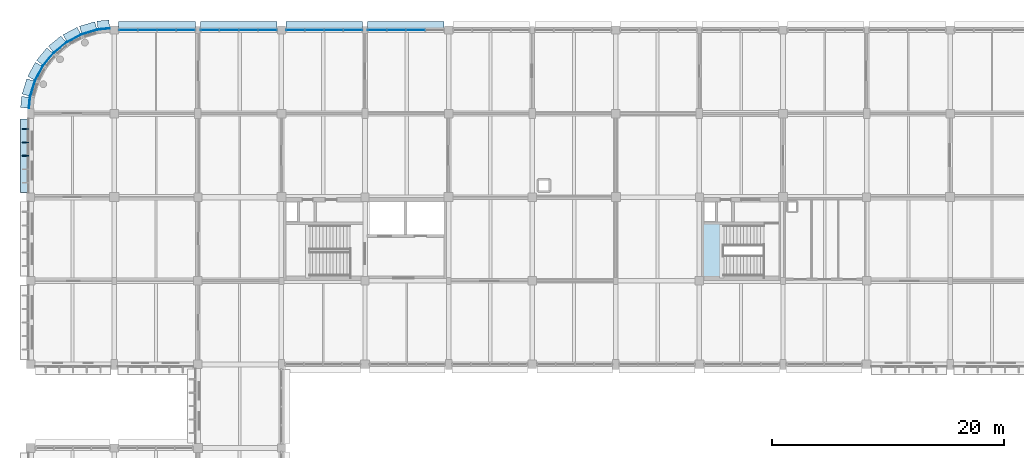
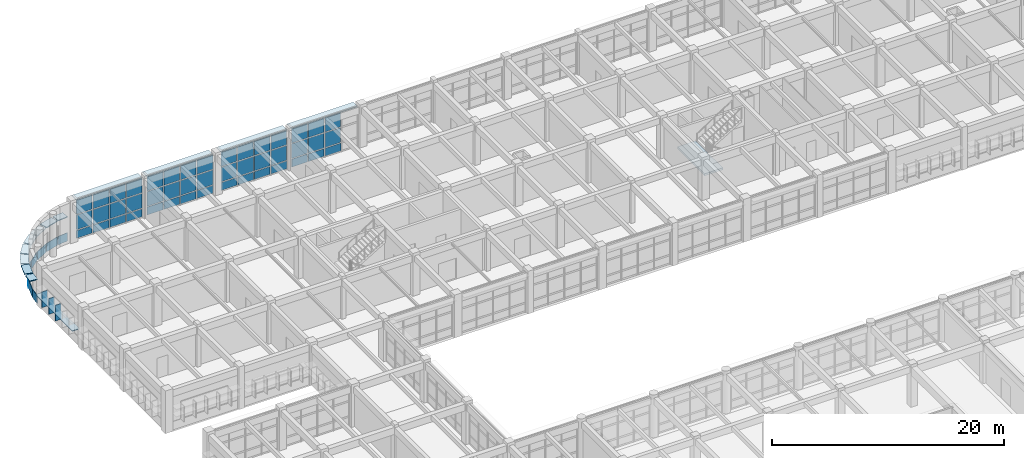
# One storey, part 134 of 171: 69 plates, 1 slab, 5 elements without a shape of their own.
"""IFC4 building model written with IfcOpenShell, lengths in metres."""

from ifc_helpers import new_model, si_unit, direction, frame, origin, origin_2d, place, context, subcontext, project, spatial, polyline, rectangle, outline, extrude, material, layer, layer_set, type_object, element, aggregate, save


model = new_model("IFC4")

# Units and contexts
model_context = context("Model", 3, precision=1e-05, world=origin(), true_north=direction((0.0, 1.0)))
body_context = subcontext(model_context, "Body", "Model", "MODEL_VIEW")
ifc_project = project(units=[si_unit("LENGTHUNIT", "METRE"), si_unit("AREAUNIT", "SQUARE_METRE"), si_unit("VOLUMEUNIT", "CUBIC_METRE"), si_unit("PLANEANGLEUNIT", "RADIAN"), si_unit("MASSUNIT", "GRAM", prefix="KILO")], contexts=[model_context])

# Site, building, storey
site_placement = place(None, origin())
site = spatial("IfcSite", under=ifc_project, at=site_placement, CompositionType="ELEMENT")
building_placement = place(site_placement, origin())
building = spatial("IfcBuilding", under=site, at=building_placement, Name="Thalmaran Polytechnic", CompositionType="ELEMENT")
storey_placement = place(building_placement, frame((0.0, 0.0, 5.39990234375)))
storey = spatial("IfcBuildingStorey", under=building, at=storey_placement, Name="L01", CompositionType="ELEMENT", Elevation=5.39990234375)

# Plates
ifc_material_1 = material(Name="Anodised aluminium spandrel band", Category="aluminium")
ifc_layer_1 = layer(ifc_material_1, 0.054931640625, Name="Anodised aluminium spandrel band")
ifc_layer_set_1 = layer_set([ifc_layer_1], Name="Anodised aluminium spandrel band")
plate_type_1 = type_object("IfcPlateType", Name="PT-BD01", PredefinedType="SHEET", material=ifc_layer_set_1)
plate_1_placement = place(storey_placement, frame((-0.10400390625, 116.1328125, 0.020263671875), z_axis=(0.0, 0.0, 1.0), x_axis=(0.09801714033, 0.995184726672, 0.0)))
element("IfcPlate", 1, at=plate_1_placement, inside=storey, type_object=plate_type_1, Name="Streamline Horizontal Spandrel Band L01-021", PredefinedType="SHEET", context=body_context, shape_type="SweptSolid", body=[
    extrude(rectangle(XDim=0.9462890625, YDim=0.054931640625, at=origin_2d()), origin(), (0.0, 0.0, 1.0), 0.8798828125),
])
for number, where, z_axis, x_axis, name in (
    (2, (0.156494140625, 117.336669921875, 0.020263671875), (0.0, 0.0, 1.0), (0.290284677254, 0.956940335732, 0.0), "Streamline Horizontal Spandrel Band L01-022"),
    (3, (0.708740234375, 118.669677734375, 0.020263671875), (0.0, 0.0, 1.0), (0.471396736826, 0.881921264348, 0.0), "Streamline Horizontal Spandrel Band L01-023"),
    (4, (1.510498046875, 119.869384765625, 0.020263671875), (0.0, 0.0, 1.0), (0.634393284164, 0.773010453363, 0.0), "Streamline Horizontal Spandrel Band L01-024"),
    (5, (2.53076171875, 120.8896484375, 0.020263671875), (0.0, 0.0, 1.0), (0.773010453363, 0.634393284164, 0.0), "Streamline Horizontal Spandrel Band L01-025"),
    (6, (3.737548828125, 121.677978515625, 0.020263671875), (0.0, 0.0, 1.0), (0.881921264348, 0.471396736826, 0.0), "Streamline Horizontal Spandrel Band L01-026"),
    (7, (5.06787109375, 122.22900390625, 0.020263671875), (0.0, 0.0, 1.0), (0.956940335732, 0.290284677254, 0.0), "Streamline Horizontal Spandrel Band L01-027"),
):
    element("IfcPlate", number, at=place(storey_placement, frame(where, z_axis=z_axis, x_axis=x_axis)), inside=storey, type_object=plate_type_1, Name=name, PredefinedType="SHEET", context=body_context, shape_type="SweptSolid", body=[
        extrude(rectangle(XDim=1.371337890625, YDim=0.054931640625, at=origin_2d()), origin(), (0.0, 0.0, 1.0), 0.8798828125),
    ])
plate_2_placement = place(storey_placement, frame((6.30078125, 122.492431640625, 0.020263671875), z_axis=(0.0, 0.0, 1.0), x_axis=(0.995184726672, 0.09801714033, 0.0)))
element("IfcPlate", 8, at=plate_2_placement, inside=storey, type_object=plate_type_1, Name="Streamline Horizontal Spandrel Band L01-028", PredefinedType="SHEET", context=body_context, shape_type="SweptSolid", body=[
    extrude(rectangle(XDim=1.011474609375, YDim=0.054931640625, at=origin_2d()), origin(), (0.0, 0.0, 1.0), 0.8798828125),
])
ifc_material_2 = material(Name="Anodised aluminium sun-hood eyebrow", Category="aluminium")
ifc_layer_2 = layer(ifc_material_2, 0.0849609375, Name="Anodised aluminium sun-hood eyebrow")
ifc_layer_set_2 = layer_set([ifc_layer_2], Name="Anodised aluminium sun-hood eyebrow")
plate_type_2 = type_object("IfcPlateType", Name="PT-EB01", PredefinedType="SHEET", material=ifc_layer_set_2)
plate_3_placement = place(storey_placement, frame((-0.52001953125, 111.5625, 1.74267578125), z_axis=(0.0, 0.0, 1.0), x_axis=(0.0, 1.0, 0.0)))
element("IfcPlate", 9, at=plate_3_placement, inside=storey, type_object=plate_type_2, Name="Abu Dhabi Horizontal Solar Louvre L01-020", PredefinedType="SHEET", context=body_context, shape_type="SweptSolid", body=[
    extrude(rectangle(XDim=6.344970703125, YDim=0.719970703125, at=origin_2d()), origin(), (0.0, 0.0, 1.0), 0.074951171875),
])
plate_4_placement = place(storey_placement, frame((-0.447509765625, 116.166748046875, 2.517578125), z_axis=(0.0, 0.0, 1.0), x_axis=(0.09801714033, 0.995184726672, 0.0)))
element("IfcPlate", 10, at=plate_4_placement, inside=storey, type_object=plate_type_2, Name="Streamline Sun-Hood Eyebrow L01-021", PredefinedType="SHEET", context=body_context, shape_type="SweptSolid", body=[
    extrude(rectangle(XDim=0.9462890625, YDim=0.760009765625, at=origin_2d()), origin(), (0.0, 0.0, 1.0), 0.0849609375),
])
for number, where, z_axis, x_axis, name in (
    (11, (-0.173583984375, 117.436767578125, 2.517578125), (0.0, 0.0, 1.0), (0.290284677254, 0.956940335732, 0.0), "Streamline Sun-Hood Eyebrow L01-022"),
    (12, (0.404541015625, 118.832275390625, 2.517578125), (0.0, 0.0, 1.0), (0.471396736826, 0.881921264348, 0.0), "Streamline Sun-Hood Eyebrow L01-023"),
    (13, (1.24365234375, 120.088134765625, 2.517578125), (0.0, 0.0, 1.0), (0.634393284164, 0.773010453363, 0.0), "Streamline Sun-Hood Eyebrow L01-024"),
    (14, (2.311767578125, 121.15625, 2.517578125), (0.0, 0.0, 1.0), (0.773010453363, 0.634393284164, 0.0), "Streamline Sun-Hood Eyebrow L01-025"),
    (15, (3.57470703125, 121.982177734375, 2.517578125), (0.0, 0.0, 1.0), (0.881921264348, 0.471396736826, 0.0), "Streamline Sun-Hood Eyebrow L01-026"),
    (16, (4.967529296875, 122.55908203125, 2.517578125), (0.0, 0.0, 1.0), (0.956940335732, 0.290284677254, 0.0), "Streamline Sun-Hood Eyebrow L01-027"),
):
    element("IfcPlate", number, at=place(storey_placement, frame(where, z_axis=z_axis, x_axis=x_axis)), inside=storey, type_object=plate_type_2, Name=name, PredefinedType="SHEET", context=body_context, shape_type="SweptSolid", body=[
        extrude(rectangle(XDim=1.371337890625, YDim=0.760009765625, at=origin_2d()), origin(), (0.0, 0.0, 1.0), 0.0849609375),
    ])
plate_5_placement = place(storey_placement, frame((6.26708984375, 122.835693359375, 2.517578125), z_axis=(0.0, 0.0, 1.0), x_axis=(0.995184726672, 0.09801714033, 0.0)))
element("IfcPlate", 17, at=plate_5_placement, inside=storey, type_object=plate_type_2, Name="Streamline Sun-Hood Eyebrow L01-028", PredefinedType="SHEET", context=body_context, shape_type="SweptSolid", body=[
    extrude(rectangle(XDim=1.011474609375, YDim=0.760009765625, at=origin_2d()), origin(), (0.0, 0.0, 1.0), 0.0849609375),
])
for number, where, z_axis, x_axis, name in (
    (18, (10.8798828125, 122.760009765625, 4.107666015625), (0.0, 0.0, 1.0), (1.0, 0.0, 0.0), "Streamline Sun-Hood Eyebrow L01-CW080"),
    (19, (17.919921875, 122.760009765625, 4.107666015625), (0.0, 0.0, 1.0), (1.0, 0.0, 0.0), "Streamline Sun-Hood Eyebrow L01-CW081"),
    (20, (25.280029296875, 122.760009765625, 4.107666015625), (0.0, 0.0, 1.0), (1.0, 0.0, 0.0), "Streamline Sun-Hood Eyebrow L01-CW082"),
    (21, (32.320068359375, 122.760009765625, 4.107666015625), (0.0, 0.0, 1.0), (1.0, 0.0, 0.0), "Streamline Sun-Hood Eyebrow L01-CW083"),
):
    element("IfcPlate", number, at=place(storey_placement, frame(where, z_axis=z_axis, x_axis=x_axis)), inside=storey, type_object=plate_type_2, Name=name, PredefinedType="SHEET", context=body_context, shape_type="SweptSolid", body=[
        extrude(rectangle(XDim=6.60009765625, YDim=0.760009765625, at=origin_2d()), origin(), (0.0, 0.0, 1.0), 0.0849609375),
    ])
ifc_material_3 = material(Name="Anodised bronze brise-soleil fin")
ifc_layer_3 = layer(ifc_material_3, 0.06494140625, Name="Anodised bronze brise-soleil fin")
ifc_layer_set_3 = layer_set([ifc_layer_3], Name="Anodised bronze brise-soleil fin")
plate_type_3 = type_object("IfcPlateType", Name="PT-FN01", PredefinedType="SHEET", material=ifc_layer_set_3)
for number, where, z_axis, x_axis, name in (
    (22, (-0.4599609375, 111.5625, 0.895263671875), (0.0, 0.0, 1.0), (0.0, 1.0, 0.0), "Abu Dhabi Solar Brise-Soleil Fin L01-020-3"),
    (23, (-0.4599609375, 112.718994140625, 0.895263671875), (0.0, 0.0, 1.0), (0.0, 1.0, 0.0), "Abu Dhabi Solar Brise-Soleil Fin L01-020-4"),
    (24, (-0.4599609375, 113.87548828125, 0.895263671875), (0.0, 0.0, 1.0), (0.0, 1.0, 0.0), "Abu Dhabi Solar Brise-Soleil Fin L01-020-5"),
):
    element("IfcPlate", number, at=place(storey_placement, frame(where, z_axis=z_axis, x_axis=x_axis)), inside=storey, type_object=plate_type_3, Name=name, PredefinedType="SHEET", context=body_context, shape_type="SweptSolid", body=[
        extrude(rectangle(XDim=0.06494140625, YDim=0.56005859375, at=origin_2d()), origin(), (0.0, 0.0, 1.0), 1.64990234375),
    ])

# Curtain wall, plates
ifc_material_4 = material(Name="Aluminium 6063-T6", Category="aluminium")
curtain_wall_type = type_object("IfcCurtainWallType", Name="CW-UC02", PredefinedType="USERDEFINED", material=ifc_material_4)
curtain_wall_1_placement = place(storey_placement, origin())
curtain_wall_1 = element("IfcCurtainWall", 25, at=curtain_wall_1_placement, inside=storey, type_object=curtain_wall_type, Name="Curtain Wall CW-L01-080", ObjectType="UNITISED CURTAIN WALL", PredefinedType="USERDEFINED")
ifc_material_5 = material(Name="Solar-control double low-E glass", Category="glass")
ifc_layer_4 = layer(ifc_material_5, 0.035888671875, Name="Solar-control double low-E glass")
ifc_layer_set_4 = layer_set([ifc_layer_4], Name="Solar-control double low-E glass")
plate_type_4 = type_object("IfcPlateType", Name="PT-GL01", PredefinedType="CURTAIN_PANEL", material=ifc_layer_set_4)
plate_6_placement = place(storey_placement, frame((8.389892578125, 122.39990234375, 1.000244140625), z_axis=(0.0, 0.0, 1.0), x_axis=(1.0, 0.0, 0.0)))
plate_6 = element("IfcPlate", 26, at=plate_6_placement, type_object=plate_type_4, Name="CW-L01-080 Vision Panel 1-2", PredefinedType="CURTAIN_PANEL", context=body_context, shape_type="SweptSolid", body=[
    extrude(rectangle(XDim=1.56005859375, YDim=0.035888671875, at=origin_2d()), origin(), (0.0, 0.0, 1.0), 1.544921875),
])
plate_7_placement = place(storey_placement, frame((8.389892578125, 122.39990234375, 2.625), z_axis=(0.0, 0.0, 1.0), x_axis=(1.0, 0.0, 0.0)))
plate_7 = element("IfcPlate", 27, at=plate_7_placement, type_object=plate_type_4, Name="CW-L01-080 Vision Panel 1-3", PredefinedType="CURTAIN_PANEL", context=body_context, shape_type="SweptSolid", body=[
    extrude(rectangle(XDim=1.56005859375, YDim=0.035888671875, at=origin_2d()), origin(), (0.0, 0.0, 1.0), 1.485107421875),
])
plate_8_placement = place(storey_placement, frame((10.050048828125, 122.39990234375, 1.000244140625), z_axis=(0.0, 0.0, 1.0), x_axis=(1.0, 0.0, 0.0)))
plate_8 = element("IfcPlate", 28, at=plate_8_placement, type_object=plate_type_4, Name="CW-L01-080 Vision Panel 2-2", PredefinedType="CURTAIN_PANEL", context=body_context, shape_type="SweptSolid", body=[
    extrude(rectangle(XDim=1.56005859375, YDim=0.035888671875, at=origin_2d()), origin(), (0.0, 0.0, 1.0), 1.544921875),
])
plate_9_placement = place(storey_placement, frame((10.050048828125, 122.39990234375, 2.625), z_axis=(0.0, 0.0, 1.0), x_axis=(1.0, 0.0, 0.0)))
plate_9 = element("IfcPlate", 29, at=plate_9_placement, type_object=plate_type_4, Name="CW-L01-080 Vision Panel 2-3", PredefinedType="CURTAIN_PANEL", context=body_context, shape_type="SweptSolid", body=[
    extrude(rectangle(XDim=1.56005859375, YDim=0.035888671875, at=origin_2d()), origin(), (0.0, 0.0, 1.0), 1.485107421875),
])
plate_10_placement = place(storey_placement, frame((11.7099609375, 122.39990234375, 1.000244140625), z_axis=(0.0, 0.0, 1.0), x_axis=(1.0, 0.0, 0.0)))
plate_10 = element("IfcPlate", 30, at=plate_10_placement, type_object=plate_type_4, Name="CW-L01-080 Vision Panel 3-2", PredefinedType="CURTAIN_PANEL", context=body_context, shape_type="SweptSolid", body=[
    extrude(rectangle(XDim=1.56005859375, YDim=0.035888671875, at=origin_2d()), origin(), (0.0, 0.0, 1.0), 1.544921875),
])
plate_11_placement = place(storey_placement, frame((11.7099609375, 122.39990234375, 2.625), z_axis=(0.0, 0.0, 1.0), x_axis=(1.0, 0.0, 0.0)))
plate_11 = element("IfcPlate", 31, at=plate_11_placement, type_object=plate_type_4, Name="CW-L01-080 Vision Panel 3-3", PredefinedType="CURTAIN_PANEL", context=body_context, shape_type="SweptSolid", body=[
    extrude(rectangle(XDim=1.56005859375, YDim=0.035888671875, at=origin_2d()), origin(), (0.0, 0.0, 1.0), 1.485107421875),
])
plate_12_placement = place(storey_placement, frame((13.3701171875, 122.39990234375, 1.000244140625), z_axis=(0.0, 0.0, 1.0), x_axis=(1.0, 0.0, 0.0)))
plate_12 = element("IfcPlate", 32, at=plate_12_placement, type_object=plate_type_4, Name="CW-L01-080 Vision Panel 4-2", PredefinedType="CURTAIN_PANEL", context=body_context, shape_type="SweptSolid", body=[
    extrude(rectangle(XDim=1.56005859375, YDim=0.035888671875, at=origin_2d()), origin(), (0.0, 0.0, 1.0), 1.544921875),
])
plate_13_placement = place(storey_placement, frame((13.3701171875, 122.39990234375, 2.625), z_axis=(0.0, 0.0, 1.0), x_axis=(1.0, 0.0, 0.0)))
plate_13 = element("IfcPlate", 33, at=plate_13_placement, type_object=plate_type_4, Name="CW-L01-080 Vision Panel 4-3", PredefinedType="CURTAIN_PANEL", context=body_context, shape_type="SweptSolid", body=[
    extrude(rectangle(XDim=1.56005859375, YDim=0.035888671875, at=origin_2d()), origin(), (0.0, 0.0, 1.0), 1.485107421875),
])

curtain_wall_2_placement = place(storey_placement, origin())
curtain_wall_2 = element("IfcCurtainWall", 34, at=curtain_wall_2_placement, inside=storey, type_object=curtain_wall_type, Name="Curtain Wall CW-L01-081", ObjectType="UNITISED CURTAIN WALL", PredefinedType="USERDEFINED")
ifc_layer_5 = layer(ifc_material_5, 0.035888671875, Name="Solar-control double low-E glass")
ifc_layer_set_5 = layer_set([ifc_layer_5], Name="Solar-control double low-E glass")
plate_type_5 = type_object("IfcPlateType", Name="PT-GL02", PredefinedType="CURTAIN_PANEL", material=ifc_layer_set_5)
plate_14_placement = place(storey_placement, frame((15.429931640625, 122.39990234375, 1.000244140625), z_axis=(0.0, 0.0, 1.0), x_axis=(1.0, 0.0, 0.0)))
plate_14 = element("IfcPlate", 35, at=plate_14_placement, type_object=plate_type_5, Name="CW-L01-081 Vision Panel 1-2", PredefinedType="CURTAIN_PANEL", context=body_context, shape_type="SweptSolid", body=[
    extrude(rectangle(XDim=1.56005859375, YDim=0.035888671875, at=origin_2d()), origin(), (0.0, 0.0, 1.0), 1.544921875),
])
plate_15_placement = place(storey_placement, frame((15.429931640625, 122.39990234375, 2.625), z_axis=(0.0, 0.0, 1.0), x_axis=(1.0, 0.0, 0.0)))
plate_15 = element("IfcPlate", 36, at=plate_15_placement, type_object=plate_type_5, Name="CW-L01-081 Vision Panel 1-3", PredefinedType="CURTAIN_PANEL", context=body_context, shape_type="SweptSolid", body=[
    extrude(rectangle(XDim=1.56005859375, YDim=0.035888671875, at=origin_2d()), origin(), (0.0, 0.0, 1.0), 1.485107421875),
])
plate_16_placement = place(storey_placement, frame((17.090087890625, 122.39990234375, 1.000244140625), z_axis=(0.0, 0.0, 1.0), x_axis=(1.0, 0.0, 0.0)))
plate_16 = element("IfcPlate", 37, at=plate_16_placement, type_object=plate_type_5, Name="CW-L01-081 Vision Panel 2-2", PredefinedType="CURTAIN_PANEL", context=body_context, shape_type="SweptSolid", body=[
    extrude(rectangle(XDim=1.56005859375, YDim=0.035888671875, at=origin_2d()), origin(), (0.0, 0.0, 1.0), 1.544921875),
])
plate_17_placement = place(storey_placement, frame((17.090087890625, 122.39990234375, 2.625), z_axis=(0.0, 0.0, 1.0), x_axis=(1.0, 0.0, 0.0)))
plate_17 = element("IfcPlate", 38, at=plate_17_placement, type_object=plate_type_5, Name="CW-L01-081 Vision Panel 2-3", PredefinedType="CURTAIN_PANEL", context=body_context, shape_type="SweptSolid", body=[
    extrude(rectangle(XDim=1.56005859375, YDim=0.035888671875, at=origin_2d()), origin(), (0.0, 0.0, 1.0), 1.485107421875),
])
plate_18_placement = place(storey_placement, frame((18.75, 122.39990234375, 1.000244140625), z_axis=(0.0, 0.0, 1.0), x_axis=(1.0, 0.0, 0.0)))
plate_18 = element("IfcPlate", 39, at=plate_18_placement, type_object=plate_type_5, Name="CW-L01-081 Vision Panel 3-2", PredefinedType="CURTAIN_PANEL", context=body_context, shape_type="SweptSolid", body=[
    extrude(rectangle(XDim=1.56005859375, YDim=0.035888671875, at=origin_2d()), origin(), (0.0, 0.0, 1.0), 1.544921875),
])
plate_19_placement = place(storey_placement, frame((18.75, 122.39990234375, 2.625), z_axis=(0.0, 0.0, 1.0), x_axis=(1.0, 0.0, 0.0)))
plate_19 = element("IfcPlate", 40, at=plate_19_placement, type_object=plate_type_5, Name="CW-L01-081 Vision Panel 3-3", PredefinedType="CURTAIN_PANEL", context=body_context, shape_type="SweptSolid", body=[
    extrude(rectangle(XDim=1.56005859375, YDim=0.035888671875, at=origin_2d()), origin(), (0.0, 0.0, 1.0), 1.485107421875),
])
plate_20_placement = place(storey_placement, frame((20.409912109375, 122.39990234375, 1.000244140625), z_axis=(0.0, 0.0, 1.0), x_axis=(1.0, 0.0, 0.0)))
plate_20 = element("IfcPlate", 41, at=plate_20_placement, type_object=plate_type_5, Name="CW-L01-081 Vision Panel 4-2", PredefinedType="CURTAIN_PANEL", context=body_context, shape_type="SweptSolid", body=[
    extrude(rectangle(XDim=1.56005859375, YDim=0.035888671875, at=origin_2d()), origin(), (0.0, 0.0, 1.0), 1.544921875),
])
plate_21_placement = place(storey_placement, frame((20.409912109375, 122.39990234375, 2.625), z_axis=(0.0, 0.0, 1.0), x_axis=(1.0, 0.0, 0.0)))
plate_21 = element("IfcPlate", 42, at=plate_21_placement, type_object=plate_type_5, Name="CW-L01-081 Vision Panel 4-3", PredefinedType="CURTAIN_PANEL", context=body_context, shape_type="SweptSolid", body=[
    extrude(rectangle(XDim=1.56005859375, YDim=0.035888671875, at=origin_2d()), origin(), (0.0, 0.0, 1.0), 1.485107421875),
])

curtain_wall_3_placement = place(storey_placement, origin())
curtain_wall_3 = element("IfcCurtainWall", 43, at=curtain_wall_3_placement, inside=storey, type_object=curtain_wall_type, Name="Curtain Wall CW-L01-082", ObjectType="UNITISED CURTAIN WALL", PredefinedType="USERDEFINED")
ifc_layer_6 = layer(ifc_material_5, 0.035888671875, Name="Solar-control double low-E glass")
ifc_layer_set_6 = layer_set([ifc_layer_6], Name="Solar-control double low-E glass")
plate_type_6 = type_object("IfcPlateType", Name="PT-GL03", PredefinedType="CURTAIN_PANEL", material=ifc_layer_set_6)
plate_22_placement = place(storey_placement, frame((22.7900390625, 122.39990234375, 1.000244140625), z_axis=(0.0, 0.0, 1.0), x_axis=(1.0, 0.0, 0.0)))
plate_22 = element("IfcPlate", 44, at=plate_22_placement, type_object=plate_type_6, Name="CW-L01-082 Vision Panel 1-2", PredefinedType="CURTAIN_PANEL", context=body_context, shape_type="SweptSolid", body=[
    extrude(rectangle(XDim=1.56005859375, YDim=0.035888671875, at=origin_2d()), origin(), (0.0, 0.0, 1.0), 1.544921875),
])
plate_23_placement = place(storey_placement, frame((22.7900390625, 122.39990234375, 2.625), z_axis=(0.0, 0.0, 1.0), x_axis=(1.0, 0.0, 0.0)))
plate_23 = element("IfcPlate", 45, at=plate_23_placement, type_object=plate_type_6, Name="CW-L01-082 Vision Panel 1-3", PredefinedType="CURTAIN_PANEL", context=body_context, shape_type="SweptSolid", body=[
    extrude(rectangle(XDim=1.56005859375, YDim=0.035888671875, at=origin_2d()), origin(), (0.0, 0.0, 1.0), 1.485107421875),
])
plate_24_placement = place(storey_placement, frame((24.449951171875, 122.39990234375, 1.000244140625), z_axis=(0.0, 0.0, 1.0), x_axis=(1.0, 0.0, 0.0)))
plate_24 = element("IfcPlate", 46, at=plate_24_placement, type_object=plate_type_6, Name="CW-L01-082 Vision Panel 2-2", PredefinedType="CURTAIN_PANEL", context=body_context, shape_type="SweptSolid", body=[
    extrude(rectangle(XDim=1.56005859375, YDim=0.035888671875, at=origin_2d()), origin(), (0.0, 0.0, 1.0), 1.544921875),
])
plate_25_placement = place(storey_placement, frame((24.449951171875, 122.39990234375, 2.625), z_axis=(0.0, 0.0, 1.0), x_axis=(1.0, 0.0, 0.0)))
plate_25 = element("IfcPlate", 47, at=plate_25_placement, type_object=plate_type_6, Name="CW-L01-082 Vision Panel 2-3", PredefinedType="CURTAIN_PANEL", context=body_context, shape_type="SweptSolid", body=[
    extrude(rectangle(XDim=1.56005859375, YDim=0.035888671875, at=origin_2d()), origin(), (0.0, 0.0, 1.0), 1.485107421875),
])
plate_26_placement = place(storey_placement, frame((26.110107421875, 122.39990234375, 1.000244140625), z_axis=(0.0, 0.0, 1.0), x_axis=(1.0, 0.0, 0.0)))
plate_26 = element("IfcPlate", 48, at=plate_26_placement, type_object=plate_type_6, Name="CW-L01-082 Vision Panel 3-2", PredefinedType="CURTAIN_PANEL", context=body_context, shape_type="SweptSolid", body=[
    extrude(rectangle(XDim=1.56005859375, YDim=0.035888671875, at=origin_2d()), origin(), (0.0, 0.0, 1.0), 1.544921875),
])
plate_27_placement = place(storey_placement, frame((26.110107421875, 122.39990234375, 2.625), z_axis=(0.0, 0.0, 1.0), x_axis=(1.0, 0.0, 0.0)))
plate_27 = element("IfcPlate", 49, at=plate_27_placement, type_object=plate_type_6, Name="CW-L01-082 Vision Panel 3-3", PredefinedType="CURTAIN_PANEL", context=body_context, shape_type="SweptSolid", body=[
    extrude(rectangle(XDim=1.56005859375, YDim=0.035888671875, at=origin_2d()), origin(), (0.0, 0.0, 1.0), 1.485107421875),
])
plate_28_placement = place(storey_placement, frame((27.77001953125, 122.39990234375, 1.000244140625), z_axis=(0.0, 0.0, 1.0), x_axis=(1.0, 0.0, 0.0)))
plate_28 = element("IfcPlate", 50, at=plate_28_placement, type_object=plate_type_6, Name="CW-L01-082 Vision Panel 4-2", PredefinedType="CURTAIN_PANEL", context=body_context, shape_type="SweptSolid", body=[
    extrude(rectangle(XDim=1.56005859375, YDim=0.035888671875, at=origin_2d()), origin(), (0.0, 0.0, 1.0), 1.544921875),
])
plate_29_placement = place(storey_placement, frame((27.77001953125, 122.39990234375, 2.625), z_axis=(0.0, 0.0, 1.0), x_axis=(1.0, 0.0, 0.0)))
plate_29 = element("IfcPlate", 51, at=plate_29_placement, type_object=plate_type_6, Name="CW-L01-082 Vision Panel 4-3", PredefinedType="CURTAIN_PANEL", context=body_context, shape_type="SweptSolid", body=[
    extrude(rectangle(XDim=1.56005859375, YDim=0.035888671875, at=origin_2d()), origin(), (0.0, 0.0, 1.0), 1.485107421875),
])

curtain_wall_4_placement = place(storey_placement, origin())
curtain_wall_4 = element("IfcCurtainWall", 52, at=curtain_wall_4_placement, inside=storey, type_object=curtain_wall_type, Name="Curtain Wall CW-L01-083", ObjectType="UNITISED CURTAIN WALL", PredefinedType="USERDEFINED")
ifc_layer_7 = layer(ifc_material_5, 0.035888671875, Name="Solar-control double low-E glass")
ifc_layer_set_7 = layer_set([ifc_layer_7], Name="Solar-control double low-E glass")
plate_type_7 = type_object("IfcPlateType", Name="PT-GL04", PredefinedType="CURTAIN_PANEL", material=ifc_layer_set_7)
plate_30_placement = place(storey_placement, frame((29.830078125, 122.39990234375, 1.000244140625), z_axis=(0.0, 0.0, 1.0), x_axis=(1.0, 0.0, 0.0)))
plate_30 = element("IfcPlate", 53, at=plate_30_placement, type_object=plate_type_7, Name="CW-L01-083 Vision Panel 1-2", PredefinedType="CURTAIN_PANEL", context=body_context, shape_type="SweptSolid", body=[
    extrude(rectangle(XDim=1.56005859375, YDim=0.035888671875, at=origin_2d()), origin(), (0.0, 0.0, 1.0), 1.544921875),
])
plate_31_placement = place(storey_placement, frame((29.830078125, 122.39990234375, 2.625), z_axis=(0.0, 0.0, 1.0), x_axis=(1.0, 0.0, 0.0)))
plate_31 = element("IfcPlate", 54, at=plate_31_placement, type_object=plate_type_7, Name="CW-L01-083 Vision Panel 1-3", PredefinedType="CURTAIN_PANEL", context=body_context, shape_type="SweptSolid", body=[
    extrude(rectangle(XDim=1.56005859375, YDim=0.035888671875, at=origin_2d()), origin(), (0.0, 0.0, 1.0), 1.485107421875),
])
plate_32_placement = place(storey_placement, frame((31.489990234375, 122.39990234375, 1.000244140625), z_axis=(0.0, 0.0, 1.0), x_axis=(1.0, 0.0, 0.0)))
plate_32 = element("IfcPlate", 55, at=plate_32_placement, type_object=plate_type_7, Name="CW-L01-083 Vision Panel 2-2", PredefinedType="CURTAIN_PANEL", context=body_context, shape_type="SweptSolid", body=[
    extrude(rectangle(XDim=1.56005859375, YDim=0.035888671875, at=origin_2d()), origin(), (0.0, 0.0, 1.0), 1.544921875),
])
plate_33_placement = place(storey_placement, frame((31.489990234375, 122.39990234375, 2.625), z_axis=(0.0, 0.0, 1.0), x_axis=(1.0, 0.0, 0.0)))
plate_33 = element("IfcPlate", 56, at=plate_33_placement, type_object=plate_type_7, Name="CW-L01-083 Vision Panel 2-3", PredefinedType="CURTAIN_PANEL", context=body_context, shape_type="SweptSolid", body=[
    extrude(rectangle(XDim=1.56005859375, YDim=0.035888671875, at=origin_2d()), origin(), (0.0, 0.0, 1.0), 1.485107421875),
])
plate_34_placement = place(storey_placement, frame((33.14990234375, 122.39990234375, 1.000244140625), z_axis=(0.0, 0.0, 1.0), x_axis=(1.0, 0.0, 0.0)))
plate_34 = element("IfcPlate", 57, at=plate_34_placement, type_object=plate_type_7, Name="CW-L01-083 Vision Panel 3-2", PredefinedType="CURTAIN_PANEL", context=body_context, shape_type="SweptSolid", body=[
    extrude(rectangle(XDim=1.56005859375, YDim=0.035888671875, at=origin_2d()), origin(), (0.0, 0.0, 1.0), 1.544921875),
])
plate_35_placement = place(storey_placement, frame((33.14990234375, 122.39990234375, 2.625), z_axis=(0.0, 0.0, 1.0), x_axis=(1.0, 0.0, 0.0)))
plate_35 = element("IfcPlate", 58, at=plate_35_placement, type_object=plate_type_7, Name="CW-L01-083 Vision Panel 3-3", PredefinedType="CURTAIN_PANEL", context=body_context, shape_type="SweptSolid", body=[
    extrude(rectangle(XDim=1.56005859375, YDim=0.035888671875, at=origin_2d()), origin(), (0.0, 0.0, 1.0), 1.485107421875),
])

# Plate
ifc_material_6 = material(Name="Insulated anodised aluminium spandrel", Category="aluminium")
ifc_layer_8 = layer(ifc_material_6, 0.06005859375, Name="Insulated anodised aluminium spandrel")
ifc_layer_set_8 = layer_set([ifc_layer_8], Name="Insulated anodised aluminium spandrel")
plate_type_8 = type_object("IfcPlateType", Name="PT-SP01", PredefinedType="CURTAIN_PANEL", material=ifc_layer_set_8)
plate_36_placement = place(storey_placement, frame((15.429931640625, 122.39990234375, 0.10009765625), z_axis=(0.0, 0.0, 1.0), x_axis=(1.0, 0.0, 0.0)))
plate_36 = element("IfcPlate", 59, at=plate_36_placement, type_object=plate_type_8, Name="CW-L01-081 Spandrel Panel 1-1", PredefinedType="CURTAIN_PANEL", context=body_context, shape_type="SweptSolid", body=[
    extrude(rectangle(XDim=1.56005859375, YDim=0.06005859375, at=origin_2d()), origin(), (0.0, 0.0, 1.0), 0.820068359375),
])

plate_37_placement = place(storey_placement, frame((17.090087890625, 122.39990234375, 0.10009765625), z_axis=(0.0, 0.0, 1.0), x_axis=(1.0, 0.0, 0.0)))
plate_37 = element("IfcPlate", 60, at=plate_37_placement, type_object=plate_type_8, Name="CW-L01-081 Spandrel Panel 2-1", PredefinedType="CURTAIN_PANEL", context=body_context, shape_type="SweptSolid", body=[
    extrude(rectangle(XDim=1.56005859375, YDim=0.06005859375, at=origin_2d()), origin(), (0.0, 0.0, 1.0), 0.820068359375),
])

plate_38_placement = place(storey_placement, frame((18.75, 122.39990234375, 0.10009765625), z_axis=(0.0, 0.0, 1.0), x_axis=(1.0, 0.0, 0.0)))
plate_38 = element("IfcPlate", 61, at=plate_38_placement, type_object=plate_type_8, Name="CW-L01-081 Spandrel Panel 3-1", PredefinedType="CURTAIN_PANEL", context=body_context, shape_type="SweptSolid", body=[
    extrude(rectangle(XDim=1.56005859375, YDim=0.06005859375, at=origin_2d()), origin(), (0.0, 0.0, 1.0), 0.820068359375),
])

plate_39_placement = place(storey_placement, frame((20.409912109375, 122.39990234375, 0.10009765625), z_axis=(0.0, 0.0, 1.0), x_axis=(1.0, 0.0, 0.0)))
plate_39 = element("IfcPlate", 62, at=plate_39_placement, type_object=plate_type_8, Name="CW-L01-081 Spandrel Panel 4-1", PredefinedType="CURTAIN_PANEL", context=body_context, shape_type="SweptSolid", body=[
    extrude(rectangle(XDim=1.56005859375, YDim=0.06005859375, at=origin_2d()), origin(), (0.0, 0.0, 1.0), 0.820068359375),
])

aggregate(curtain_wall_2, [plate_36, plate_14, plate_15, plate_37, plate_16, plate_17, plate_38, plate_18, plate_19, plate_39, plate_20, plate_21])

ifc_layer_9 = layer(ifc_material_6, 0.06005859375, Name="Insulated anodised aluminium spandrel")
ifc_layer_set_9 = layer_set([ifc_layer_9], Name="Insulated anodised aluminium spandrel")
plate_type_9 = type_object("IfcPlateType", Name="PT-SP02", PredefinedType="CURTAIN_PANEL", material=ifc_layer_set_9)
plate_40_placement = place(storey_placement, frame((22.7900390625, 122.39990234375, 0.10009765625), z_axis=(0.0, 0.0, 1.0), x_axis=(1.0, 0.0, 0.0)))
plate_40 = element("IfcPlate", 63, at=plate_40_placement, type_object=plate_type_9, Name="CW-L01-082 Spandrel Panel 1-1", PredefinedType="CURTAIN_PANEL", context=body_context, shape_type="SweptSolid", body=[
    extrude(rectangle(XDim=1.56005859375, YDim=0.06005859375, at=origin_2d()), origin(), (0.0, 0.0, 1.0), 0.820068359375),
])

plate_41_placement = place(storey_placement, frame((24.449951171875, 122.39990234375, 0.10009765625), z_axis=(0.0, 0.0, 1.0), x_axis=(1.0, 0.0, 0.0)))
plate_41 = element("IfcPlate", 64, at=plate_41_placement, type_object=plate_type_9, Name="CW-L01-082 Spandrel Panel 2-1", PredefinedType="CURTAIN_PANEL", context=body_context, shape_type="SweptSolid", body=[
    extrude(rectangle(XDim=1.56005859375, YDim=0.06005859375, at=origin_2d()), origin(), (0.0, 0.0, 1.0), 0.820068359375),
])

plate_42_placement = place(storey_placement, frame((26.110107421875, 122.39990234375, 0.10009765625), z_axis=(0.0, 0.0, 1.0), x_axis=(1.0, 0.0, 0.0)))
plate_42 = element("IfcPlate", 65, at=plate_42_placement, type_object=plate_type_9, Name="CW-L01-082 Spandrel Panel 3-1", PredefinedType="CURTAIN_PANEL", context=body_context, shape_type="SweptSolid", body=[
    extrude(rectangle(XDim=1.56005859375, YDim=0.06005859375, at=origin_2d()), origin(), (0.0, 0.0, 1.0), 0.820068359375),
])

plate_43_placement = place(storey_placement, frame((27.77001953125, 122.39990234375, 0.10009765625), z_axis=(0.0, 0.0, 1.0), x_axis=(1.0, 0.0, 0.0)))
plate_43 = element("IfcPlate", 66, at=plate_43_placement, type_object=plate_type_9, Name="CW-L01-082 Spandrel Panel 4-1", PredefinedType="CURTAIN_PANEL", context=body_context, shape_type="SweptSolid", body=[
    extrude(rectangle(XDim=1.56005859375, YDim=0.06005859375, at=origin_2d()), origin(), (0.0, 0.0, 1.0), 0.820068359375),
])

aggregate(curtain_wall_3, [plate_40, plate_22, plate_23, plate_41, plate_24, plate_25, plate_42, plate_26, plate_27, plate_43, plate_28, plate_29])

ifc_layer_10 = layer(ifc_material_6, 0.06005859375, Name="Insulated anodised aluminium spandrel")
ifc_layer_set_10 = layer_set([ifc_layer_10], Name="Insulated anodised aluminium spandrel")
plate_type_10 = type_object("IfcPlateType", Name="PT-SP03", PredefinedType="CURTAIN_PANEL", material=ifc_layer_set_10)
plate_44_placement = place(storey_placement, frame((8.389892578125, 122.39990234375, 0.10009765625), z_axis=(0.0, 0.0, 1.0), x_axis=(1.0, 0.0, 0.0)))
plate_44 = element("IfcPlate", 67, at=plate_44_placement, type_object=plate_type_10, Name="CW-L01-080 Spandrel Panel 1-1", PredefinedType="CURTAIN_PANEL", context=body_context, shape_type="SweptSolid", body=[
    extrude(rectangle(XDim=1.56005859375, YDim=0.06005859375, at=origin_2d()), origin(), (0.0, 0.0, 1.0), 0.820068359375),
])

plate_45_placement = place(storey_placement, frame((10.050048828125, 122.39990234375, 0.10009765625), z_axis=(0.0, 0.0, 1.0), x_axis=(1.0, 0.0, 0.0)))
plate_45 = element("IfcPlate", 68, at=plate_45_placement, type_object=plate_type_10, Name="CW-L01-080 Spandrel Panel 2-1", PredefinedType="CURTAIN_PANEL", context=body_context, shape_type="SweptSolid", body=[
    extrude(rectangle(XDim=1.56005859375, YDim=0.06005859375, at=origin_2d()), origin(), (0.0, 0.0, 1.0), 0.820068359375),
])

plate_46_placement = place(storey_placement, frame((11.7099609375, 122.39990234375, 0.10009765625), z_axis=(0.0, 0.0, 1.0), x_axis=(1.0, 0.0, 0.0)))
plate_46 = element("IfcPlate", 69, at=plate_46_placement, type_object=plate_type_10, Name="CW-L01-080 Spandrel Panel 3-1", PredefinedType="CURTAIN_PANEL", context=body_context, shape_type="SweptSolid", body=[
    extrude(rectangle(XDim=1.56005859375, YDim=0.06005859375, at=origin_2d()), origin(), (0.0, 0.0, 1.0), 0.820068359375),
])

plate_47_placement = place(storey_placement, frame((13.3701171875, 122.39990234375, 0.10009765625), z_axis=(0.0, 0.0, 1.0), x_axis=(1.0, 0.0, 0.0)))
plate_47 = element("IfcPlate", 70, at=plate_47_placement, type_object=plate_type_10, Name="CW-L01-080 Spandrel Panel 4-1", PredefinedType="CURTAIN_PANEL", context=body_context, shape_type="SweptSolid", body=[
    extrude(rectangle(XDim=1.56005859375, YDim=0.06005859375, at=origin_2d()), origin(), (0.0, 0.0, 1.0), 0.820068359375),
])

aggregate(curtain_wall_1, [plate_44, plate_6, plate_7, plate_45, plate_8, plate_9, plate_46, plate_10, plate_11, plate_47, plate_12, plate_13])

plate_48_placement = place(storey_placement, frame((29.830078125, 122.39990234375, 0.10009765625), z_axis=(0.0, 0.0, 1.0), x_axis=(1.0, 0.0, 0.0)))
plate_48 = element("IfcPlate", 71, at=plate_48_placement, type_object=plate_type_10, Name="CW-L01-083 Spandrel Panel 1-1", PredefinedType="CURTAIN_PANEL", context=body_context, shape_type="SweptSolid", body=[
    extrude(rectangle(XDim=1.56005859375, YDim=0.06005859375, at=origin_2d()), origin(), (0.0, 0.0, 1.0), 0.820068359375),
])

plate_49_placement = place(storey_placement, frame((31.489990234375, 122.39990234375, 0.10009765625), z_axis=(0.0, 0.0, 1.0), x_axis=(1.0, 0.0, 0.0)))
plate_49 = element("IfcPlate", 72, at=plate_49_placement, type_object=plate_type_10, Name="CW-L01-083 Spandrel Panel 2-1", PredefinedType="CURTAIN_PANEL", context=body_context, shape_type="SweptSolid", body=[
    extrude(rectangle(XDim=1.56005859375, YDim=0.06005859375, at=origin_2d()), origin(), (0.0, 0.0, 1.0), 0.820068359375),
])

plate_50_placement = place(storey_placement, frame((33.14990234375, 122.39990234375, 0.10009765625), z_axis=(0.0, 0.0, 1.0), x_axis=(1.0, 0.0, 0.0)))
plate_50 = element("IfcPlate", 73, at=plate_50_placement, type_object=plate_type_10, Name="CW-L01-083 Spandrel Panel 3-1", PredefinedType="CURTAIN_PANEL", context=body_context, shape_type="SweptSolid", body=[
    extrude(rectangle(XDim=1.56005859375, YDim=0.06005859375, at=origin_2d()), origin(), (0.0, 0.0, 1.0), 0.820068359375),
])

aggregate(curtain_wall_4, [plate_48, plate_30, plate_31, plate_49, plate_32, plate_33, plate_50, plate_34, plate_35])

# Stair, slab
ifc_material_7 = material(Name="Concrete C40/50", Category="concrete")
stair_type = type_object("IfcStairType", Name="ST-HT45", PredefinedType="HALF_TURN_STAIR", material=ifc_material_7)
stair_placement = place(storey_placement, origin())
stair = element("IfcStair", 74, at=stair_placement, inside=storey, type_object=stair_type, Name="Exit Stair ST6 L01", PredefinedType="HALF_TURN_STAIR")
ifc_layer_11 = layer(ifc_material_7, 0.2099609375, Name="Concrete C40/50")
ifc_layer_set_11 = layer_set([ifc_layer_11], Name="Concrete C40/50")
slab_type = type_object("IfcSlabType", Name="SL-LD01", PredefinedType="LANDING", material=ifc_layer_set_11)
slab_placement = place(storey_placement, frame((0.0, 0.0, 2.0400390625)))
slab = element("IfcSlab", 75, at=slab_placement, type_object=slab_type, Name="ST6 L01 Half Landing", PredefinedType="LANDING", context=body_context, shape_type="SweptSolid", body=[
    extrude(outline(polyline([(57.840087890625, 101.0400390625), (59.659912109375, 101.0400390625), (59.659912109375, 105.739990234375), (57.840087890625, 105.739990234375), (57.840087890625, 101.0400390625)])), origin(), (0.0, 0.0, 1.0), 0.2099609375),
])
aggregate(stair, [slab])

save(model, "model.ifc")
